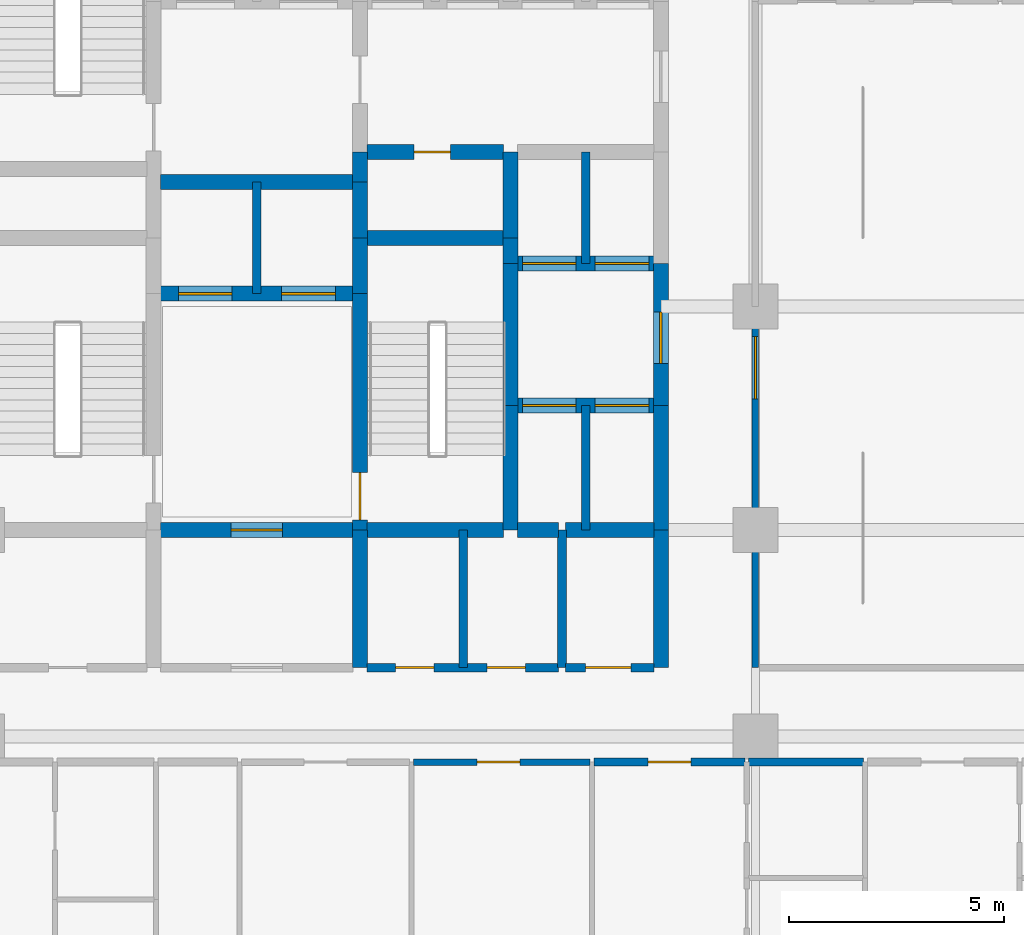
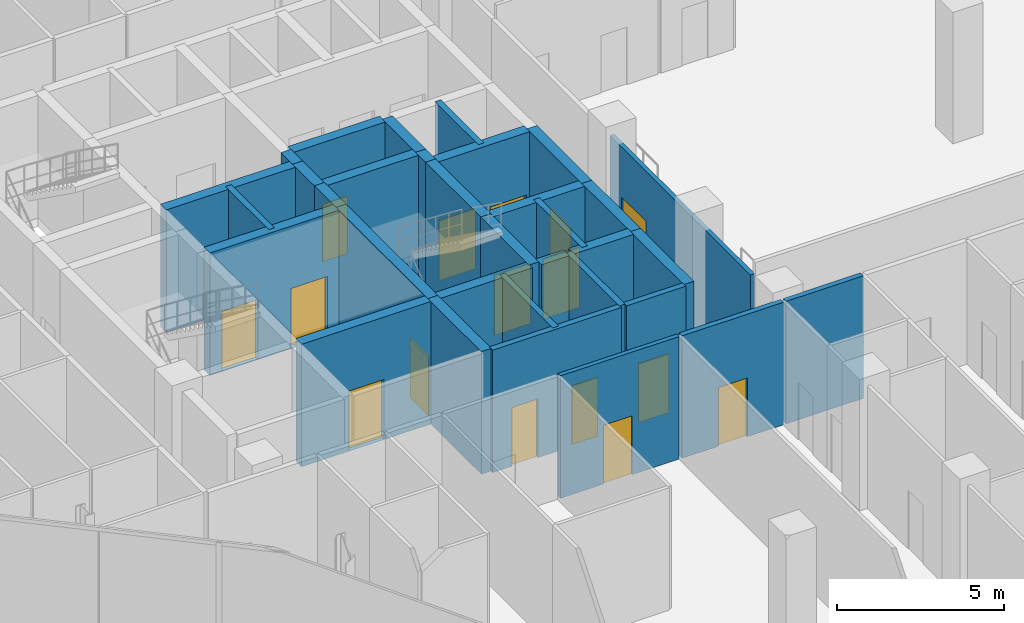
# One storey, part 24 of 29: 33 walls, 16 doors, 16 openings.
"""IFC4 building model written with IfcOpenShell, lengths in metres."""

from ifc_helpers import new_model, si_unit, direction, frame, frame_2d, origin, place, context, subcontext, project, spatial, rectangle, extrude, material, layer, layer_set, type_object, element, fill, save


model = new_model("IFC4")

# Units and contexts
model_context = context("Model", 3, precision=1e-05, world=origin(), true_north=direction((0.0, 1.0)))
body_context = subcontext(model_context, "Body", "Model", "MODEL_VIEW")
ifc_project = project(units=[si_unit("LENGTHUNIT", "METRE"), si_unit("AREAUNIT", "SQUARE_METRE"), si_unit("VOLUMEUNIT", "CUBIC_METRE"), si_unit("PLANEANGLEUNIT", "RADIAN"), si_unit("MASSUNIT", "GRAM", prefix="KILO")], contexts=[model_context])

# Site, building, storey
site_placement = place(None, origin())
site = spatial("IfcSite", under=ifc_project, at=site_placement, CompositionType="ELEMENT")
building_placement = place(site_placement, origin())
building = spatial("IfcBuilding", under=site, at=building_placement, Name="Keshet Zoharim Tower", CompositionType="ELEMENT")
storey_placement = place(building_placement, frame((0.0, 0.0, 120.5)))
storey = spatial("IfcBuildingStorey", under=building, at=storey_placement, Name="L29", CompositionType="ELEMENT", Elevation=120.5)

# Wall, opening, door
ifc_material_1 = material(Name="Gypsum Plasterboard", Category="gypsum")
ifc_layer_1 = layer(ifc_material_1, 0.14990234375)
ifc_layer_set_1 = layer_set([ifc_layer_1], Name="Gypsum Plasterboard")
wall_type_1 = type_object("IfcWallType", Name="WL-CLIN-150", PredefinedType="STANDARD", material=ifc_layer_set_1)
wall_1_placement = place(storey_placement, frame((33.0, 19.5, 0.0), z_axis=(0.0, 0.0, 1.0), x_axis=(0.0, 1.0, 0.0)))
wall_1 = element("IfcWall", 1, at=wall_1_placement, inside=storey, type_object=wall_type_1, Name="L29 Interior Wall 071", PredefinedType="STANDARD", context=body_context, shape_type="SweptSolid", body=[
    extrude(rectangle(XDim=8.39990234375, YDim=0.14990234375, at=frame_2d((4.199951171875, 0.0))), origin(), (0.0, 0.0, 1.0), 4.030029296875),
])
opening_1_placement = place(wall_1_placement, frame((6.2490234375, 0.0, 0.0)))
opening_1 = element("IfcOpeningElement", 2, at=opening_1_placement, cuts=wall_1, Name="Opening D-F314", PredefinedType="OPENING", context=body_context, shape_type="SweptSolid", body=[
    extrude(rectangle(XDim=1.449951171875, YDim=2.199951171875, at=frame_2d((0.72509765625, 1.10009765625))), frame((0.0, 0.0849609375, 0.0), z_axis=(0.0, -1.0, 0.0), x_axis=(1.0, 0.0, 0.0)), (0.0, 0.0, 1.0), 0.169921875),
])
ifc_material_2 = material(Name="Hardwood Timber", Category="wood")
door_type_1 = type_object("IfcDoorType", Name="DR-FD30-145", OperationType="DOUBLE_DOOR_SINGLE_SWING", PredefinedType="DOOR", material=ifc_material_2)
door_1_placement = place(opening_1_placement, origin())
door_1 = element("IfcDoor", 3, at=door_1_placement, inside=storey, type_object=door_type_1, Name="L29 Sky Transfer Lobby Entrance Door", OperationType="DOUBLE_DOOR_SINGLE_SWING", OverallHeight=2.199951171875, OverallWidth=1.449951171875, PredefinedType="DOOR", context=body_context, shape_type="SweptSolid", body=[
    extrude(rectangle(XDim=1.449951171875, YDim=2.199951171875, at=frame_2d((0.72509765625, 1.10009765625))), frame((0.0, 0.02490234375, 0.0), z_axis=(0.0, -1.0, 0.0), x_axis=(1.0, 0.0, 0.0)), (0.0, 0.0, 1.0), 0.050048828125),
])
fill(opening_1, door_1)

wall_2_placement = place(storey_placement, frame((25.044921875, 17.300048828125, 0.0), z_axis=(0.0, 0.0, 1.0), x_axis=(1.0, 0.0, 0.0)))
wall_2 = element("IfcWall", 4, at=wall_2_placement, inside=storey, type_object=wall_type_1, Name="L29 Interior Wall 135", PredefinedType="STANDARD", context=body_context, shape_type="SweptSolid", body=[
    extrude(rectangle(XDim=4.110107421875, YDim=0.14990234375, at=frame_2d((2.05517578125, 0.0))), origin(), (0.0, 0.0, 1.0), 4.47998046875),
])
opening_2_placement = place(wall_2_placement, frame((1.48291015625, 0.0, 0.0)))
opening_2 = element("IfcOpeningElement", 5, at=opening_2_placement, cuts=wall_2, Name="Opening D-F310", PredefinedType="OPENING", context=body_context, shape_type="SweptSolid", body=[
    extrude(rectangle(XDim=1.0, YDim=2.14990234375, at=frame_2d((0.5, 1.074951171875))), frame((0.0, 0.0849609375, 0.0), z_axis=(0.0, -1.0, 0.0), x_axis=(1.0, 0.0, 0.0)), (0.0, 0.0, 1.0), 0.169921875),
])
door_type_2 = type_object("IfcDoorType", Name="DR-FD30-100", OperationType="NOTDEFINED", PredefinedType="DOOR", material=ifc_material_2)
door_2_placement = place(opening_2_placement, origin())
door_2 = element("IfcDoor", 6, at=door_2_placement, inside=storey, type_object=door_type_2, Name="L29 Residents Study Lounge Door", OperationType="SINGLE_SWING_RIGHT", OverallHeight=2.14990234375, OverallWidth=1.0, PredefinedType="DOOR", context=body_context, shape_type="SweptSolid", body=[
    extrude(rectangle(XDim=1.0, YDim=2.14990234375, at=frame_2d((0.5, 1.074951171875))), frame((0.0, 0.02490234375, 0.0), z_axis=(0.0, -1.0, 0.0), x_axis=(1.0, 0.0, 0.0)), (0.0, 0.0, 1.0), 0.050048828125),
])
fill(opening_2, door_2)

# Wall
ifc_material_3 = material(Name="Concrete C60/75", Category="concrete")
ifc_layer_2 = layer(ifc_material_3, 0.35009765625)
ifc_layer_set_2 = layer_set([ifc_layer_2], Name="Concrete C60/75")
wall_type_2 = type_object("IfcWallType", Name="WL-CORE-350", PredefinedType="SHEAR", material=ifc_layer_set_2)
wall_3_placement = place(storey_placement, frame((23.800048828125, 19.5, 0.0), z_axis=(0.0, 0.0, 1.0), x_axis=(0.0, 1.0, 0.0)))
element("IfcWall", 7, at=wall_3_placement, inside=storey, type_object=wall_type_2, Name="L29 Core Shear Wall 036", PredefinedType="SHEAR", context=body_context, shape_type="SweptSolid", body=[
    extrude(rectangle(XDim=3.199951171875, YDim=0.35009765625, at=frame_2d((1.60009765625, 0.0))), origin(), (0.0, 0.0, 1.0), 4.47998046875),
])

# Wall, opening, door
wall_4_placement = place(storey_placement, frame((23.800048828125, 22.699951171875, 0.0), z_axis=(0.0, 0.0, 1.0), x_axis=(0.0, 1.0, 0.0)))
wall_4 = element("IfcWall", 8, at=wall_4_placement, inside=storey, type_object=wall_type_2, Name="L29 Core Shear Wall 037", PredefinedType="SHEAR", context=body_context, shape_type="SweptSolid", body=[
    extrude(rectangle(XDim=5.5, YDim=0.35009765625, at=frame_2d((2.75, 0.0))), origin(), (0.0, 0.0, 1.0), 4.47998046875),
])
opening_3_placement = place(wall_4_placement, frame((0.235107421875, 0.0, 0.0)))
opening_3 = element("IfcOpeningElement", 9, at=opening_3_placement, cuts=wall_4, Name="Opening D-F611", PredefinedType="OPENING", context=body_context, shape_type="SweptSolid", body=[
    extrude(rectangle(XDim=1.10009765625, YDim=2.14990234375, at=frame_2d((0.550048828125, 1.074951171875))), frame((0.0, 0.18505859375, 0.0), z_axis=(0.0, -1.0, 0.0), x_axis=(1.0, 0.0, 0.0)), (0.0, 0.0, 1.0), 0.3701171875),
])
door_type_3 = type_object("IfcDoorType", Name="DR-FD60-110", OperationType="NOTDEFINED", PredefinedType="DOOR", material=ifc_material_2)
door_3_placement = place(opening_3_placement, frame((1.10009765625, 0.0, 0.0), z_axis=(0.0, 0.0, 1.0), x_axis=(-1.0, 0.0, 0.0)))
door_3 = element("IfcDoor", 10, at=door_3_placement, inside=storey, type_object=door_type_3, Name="L29 Exit Stair ST-03 Fire Door", OperationType="SINGLE_SWING_RIGHT", OverallHeight=2.14990234375, OverallWidth=1.10009765625, PredefinedType="DOOR", context=body_context, shape_type="SweptSolid", body=[
    extrude(rectangle(XDim=1.10009765625, YDim=2.14990234375, at=frame_2d((0.550048828125, 1.074951171875))), frame((0.0, 0.02490234375, 0.0), z_axis=(0.0, -1.0, 0.0), x_axis=(1.0, 0.0, 0.0)), (0.0, 0.0, 1.0), 0.050048828125),
])
fill(opening_3, door_3)

# Walls
for number, where, z_axis, x_axis, name in (
    (11, (23.800048828125, 28.199951171875, 0.0), (0.0, 0.0, 1.0), (0.0, 1.0, 0.0), "L29 Core Shear Wall 038"),
    (12, (23.800048828125, 29.5, 0.0), (0.0, 0.0, 1.0), (0.0, 1.0, 0.0), "L29 Core Shear Wall 039"),
):
    element("IfcWall", number, at=place(storey_placement, frame(where, z_axis=z_axis, x_axis=x_axis)), inside=storey, type_object=wall_type_2, Name=name, PredefinedType="SHEAR", context=body_context, shape_type="SweptSolid", body=[
        extrude(rectangle(XDim=1.300048828125, YDim=0.35009765625, at=frame_2d((0.64990234375, 0.0))), origin(), (0.0, 0.0, 1.0), 4.47998046875),
    ])
wall_5_placement = place(storey_placement, frame((23.800048828125, 30.800048828125, 0.0), z_axis=(0.0, 0.0, 1.0), x_axis=(0.0, 1.0, 0.0)))
element("IfcWall", 13, at=wall_5_placement, inside=storey, type_object=wall_type_2, Name="L29 Core Shear Wall 040", PredefinedType="SHEAR", context=body_context, shape_type="SweptSolid", body=[
    extrude(rectangle(XDim=0.699951171875, YDim=0.35009765625, at=frame_2d((0.35009765625, 0.0))), origin(), (0.0, 0.0, 1.0), 4.47998046875),
])
wall_6_placement = place(storey_placement, frame((27.300048828125, 22.699951171875, 0.0), z_axis=(0.0, 0.0, 1.0), x_axis=(0.0, 1.0, 0.0)))
element("IfcWall", 14, at=wall_6_placement, inside=storey, type_object=wall_type_2, Name="L29 Core Shear Wall 047", PredefinedType="SHEAR", context=body_context, shape_type="SweptSolid", body=[
    extrude(rectangle(XDim=2.900146484375, YDim=0.35009765625, at=frame_2d((1.4501953125, 0.0))), origin(), (0.0, 0.0, 1.0), 4.47998046875),
])
wall_7_placement = place(storey_placement, frame((27.300048828125, 25.60009765625, 0.0), z_axis=(0.0, 0.0, 1.0), x_axis=(0.0, 1.0, 0.0)))
element("IfcWall", 15, at=wall_7_placement, inside=storey, type_object=wall_type_2, Name="L29 Core Shear Wall 048", PredefinedType="SHEAR", context=body_context, shape_type="SweptSolid", body=[
    extrude(rectangle(XDim=3.2998046875, YDim=0.35009765625, at=frame_2d((1.64990234375, 0.0))), origin(), (0.0, 0.0, 1.0), 4.47998046875),
])
wall_8_placement = place(storey_placement, frame((27.300048828125, 28.89990234375, 0.0), z_axis=(0.0, 0.0, 1.0), x_axis=(0.0, 1.0, 0.0)))
element("IfcWall", 16, at=wall_8_placement, inside=storey, type_object=wall_type_2, Name="L29 Core Shear Wall 049", PredefinedType="SHEAR", context=body_context, shape_type="SweptSolid", body=[
    extrude(rectangle(XDim=0.60009765625, YDim=0.35009765625, at=frame_2d((0.300048828125, 0.0))), origin(), (0.0, 0.0, 1.0), 4.47998046875),
])
wall_9_placement = place(storey_placement, frame((27.300048828125, 29.5, 0.0), z_axis=(0.0, 0.0, 1.0), x_axis=(0.0, 1.0, 0.0)))
element("IfcWall", 17, at=wall_9_placement, inside=storey, type_object=wall_type_2, Name="L29 Core Shear Wall 050", PredefinedType="SHEAR", context=body_context, shape_type="SweptSolid", body=[
    extrude(rectangle(XDim=2.0, YDim=0.35009765625, at=frame_2d((1.0, 0.0))), origin(), (0.0, 0.0, 1.0), 4.47998046875),
])
wall_10_placement = place(storey_placement, frame((30.800048828125, 19.5, 0.0), z_axis=(0.0, 0.0, 1.0), x_axis=(0.0, 1.0, 0.0)))
element("IfcWall", 18, at=wall_10_placement, inside=storey, type_object=wall_type_2, Name="L29 Core Shear Wall 060", PredefinedType="SHEAR", context=body_context, shape_type="SweptSolid", body=[
    extrude(rectangle(XDim=3.199951171875, YDim=0.35009765625, at=frame_2d((1.60009765625, 0.0))), origin(), (0.0, 0.0, 1.0), 4.47998046875),
])
wall_11_placement = place(storey_placement, frame((30.800048828125, 22.699951171875, 0.0), z_axis=(0.0, 0.0, 1.0), x_axis=(0.0, 1.0, 0.0)))
element("IfcWall", 19, at=wall_11_placement, inside=storey, type_object=wall_type_2, Name="L29 Core Shear Wall 061", PredefinedType="SHEAR", context=body_context, shape_type="SweptSolid", body=[
    extrude(rectangle(XDim=2.900146484375, YDim=0.35009765625, at=frame_2d((1.4501953125, 0.0))), origin(), (0.0, 0.0, 1.0), 4.47998046875),
])

# Wall, opening, door
wall_12_placement = place(storey_placement, frame((30.800048828125, 25.60009765625, 0.0), z_axis=(0.0, 0.0, 1.0), x_axis=(0.0, 1.0, 0.0)))
wall_12 = element("IfcWall", 20, at=wall_12_placement, inside=storey, type_object=wall_type_2, Name="L29 Core Shear Wall 062", PredefinedType="SHEAR", context=body_context, shape_type="SweptSolid", body=[
    extrude(rectangle(XDim=3.2998046875, YDim=0.35009765625, at=frame_2d((1.64990234375, 0.0))), origin(), (0.0, 0.0, 1.0), 4.47998046875),
])
opening_4_placement = place(wall_12_placement, frame((0.97802734375, 0.0, 0.0)))
opening_4 = element("IfcOpeningElement", 21, at=opening_4_placement, cuts=wall_12, Name="Opening D-F612", PredefinedType="OPENING", context=body_context, shape_type="SweptSolid", body=[
    extrude(rectangle(XDim=1.199951171875, YDim=2.199951171875, at=frame_2d((0.60009765625, 1.10009765625))), frame((0.0, 0.18505859375, 0.0), z_axis=(0.0, -1.0, 0.0), x_axis=(1.0, 0.0, 0.0)), (0.0, 0.0, 1.0), 0.3701171875),
])
door_type_4 = type_object("IfcDoorType", Name="DR-FD60-120", OperationType="NOTDEFINED", PredefinedType="DOOR", material=ifc_material_2)
door_4_placement = place(opening_4_placement, origin())
door_4 = element("IfcDoor", 22, at=door_4_placement, inside=storey, type_object=door_type_4, Name="L29 East Lift Lobby Fire Door", OperationType="SINGLE_SWING_RIGHT", OverallHeight=2.199951171875, OverallWidth=1.199951171875, PredefinedType="DOOR", context=body_context, shape_type="SweptSolid", body=[
    extrude(rectangle(XDim=1.199951171875, YDim=2.199951171875, at=frame_2d((0.60009765625, 1.10009765625))), frame((0.0, 0.02490234375, 0.0), z_axis=(0.0, -1.0, 0.0), x_axis=(1.0, 0.0, 0.0)), (0.0, 0.0, 1.0), 0.050048828125),
])
fill(opening_4, door_4)

wall_13_placement = place(storey_placement, frame((19.159912109375, 22.699951171875, 0.0), z_axis=(0.0, 0.0, 1.0), x_axis=(1.0, 0.0, 0.0)))
wall_13 = element("IfcWall", 23, at=wall_13_placement, inside=storey, type_object=wall_type_2, Name="L29 Core Shear Wall 153", PredefinedType="SHEAR", context=body_context, shape_type="SweptSolid", body=[
    extrude(rectangle(XDim=4.47998046875, YDim=0.35009765625, at=frame_2d((2.239990234375, 0.0))), origin(), (0.0, 0.0, 1.0), 4.47998046875),
])
opening_5_placement = place(wall_13_placement, frame((1.639892578125, 0.0, 0.0)))
opening_5 = element("IfcOpeningElement", 24, at=opening_5_placement, cuts=wall_13, Name="Opening D-F612", PredefinedType="OPENING", context=body_context, shape_type="SweptSolid", body=[
    extrude(rectangle(XDim=1.199951171875, YDim=2.199951171875, at=frame_2d((0.60009765625, 1.10009765625))), frame((0.0, 0.18505859375, 0.0), z_axis=(0.0, -1.0, 0.0), x_axis=(1.0, 0.0, 0.0)), (0.0, 0.0, 1.0), 0.3701171875),
])
door_5_placement = place(opening_5_placement, origin())
door_5 = element("IfcDoor", 25, at=door_5_placement, inside=storey, type_object=door_type_4, Name="L29 South Core Lobby Fire Door", OperationType="SINGLE_SWING_LEFT", OverallHeight=2.199951171875, OverallWidth=1.199951171875, PredefinedType="DOOR", context=body_context, shape_type="SweptSolid", body=[
    extrude(rectangle(XDim=1.199951171875, YDim=2.199951171875, at=frame_2d((0.60009765625, 1.10009765625))), frame((0.0, 0.02490234375, 0.0), z_axis=(0.0, -1.0, 0.0), x_axis=(1.0, 0.0, 0.0)), (0.0, 0.0, 1.0), 0.050048828125),
])
fill(opening_5, door_5)

# Walls
wall_14_placement = place(storey_placement, frame((23.9599609375, 22.699951171875, 0.0), z_axis=(0.0, 0.0, 1.0), x_axis=(1.0, 0.0, 0.0)))
element("IfcWall", 26, at=wall_14_placement, inside=storey, type_object=wall_type_2, Name="L29 Core Shear Wall 154", PredefinedType="SHEAR", context=body_context, shape_type="SweptSolid", body=[
    extrude(rectangle(XDim=3.179931640625, YDim=0.35009765625, at=frame_2d((1.58984375, 0.0))), origin(), (0.0, 0.0, 1.0), 4.47998046875),
])
wall_15_placement = place(storey_placement, frame((27.4599609375, 22.699951171875, 0.0), z_axis=(0.0, 0.0, 1.0), x_axis=(1.0, 0.0, 0.0)))
element("IfcWall", 27, at=wall_15_placement, inside=storey, type_object=wall_type_2, Name="L29 Core Shear Wall 155", PredefinedType="SHEAR", context=body_context, shape_type="SweptSolid", body=[
    extrude(rectangle(XDim=0.955078125, YDim=0.35009765625, at=frame_2d((0.4775390625, 0.0))), origin(), (0.0, 0.0, 1.0), 4.47998046875),
])
wall_16_placement = place(storey_placement, frame((28.5849609375, 22.699951171875, 0.0), z_axis=(0.0, 0.0, 1.0), x_axis=(1.0, 0.0, 0.0)))
element("IfcWall", 28, at=wall_16_placement, inside=storey, type_object=wall_type_2, Name="L29 Core Shear Wall 156", PredefinedType="SHEAR", context=body_context, shape_type="SweptSolid", body=[
    extrude(rectangle(XDim=2.054931640625, YDim=0.35009765625, at=frame_2d((1.02734375, 0.0))), origin(), (0.0, 0.0, 1.0), 4.47998046875),
])

# Wall, openings, doors
wall_17_placement = place(storey_placement, frame((27.4599609375, 25.60009765625, 0.0), z_axis=(0.0, 0.0, 1.0), x_axis=(1.0, 0.0, 0.0)))
wall_17 = element("IfcWall", 29, at=wall_17_placement, inside=storey, type_object=wall_type_2, Name="L29 Core Shear Wall 160", PredefinedType="SHEAR", context=body_context, shape_type="SweptSolid", body=[
    extrude(rectangle(XDim=3.179931640625, YDim=0.35009765625, at=frame_2d((1.58984375, 0.0))), origin(), (0.0, 0.0, 1.0), 4.47998046875),
])
opening_6_placement = place(wall_17_placement, frame((0.1201171875, 0.0, 0.0)))
opening_6 = element("IfcOpeningElement", 30, at=opening_6_placement, cuts=wall_17, Name="Opening LD-01", PredefinedType="OPENING", context=body_context, shape_type="SweptSolid", body=[
    extrude(rectangle(XDim=1.25, YDim=2.199951171875, at=frame_2d((0.625, 1.10009765625))), frame((0.0, 0.18505859375, 0.0), z_axis=(0.0, -1.0, 0.0), x_axis=(1.0, 0.0, 0.0)), (0.0, 0.0, 1.0), 0.3701171875),
])
opening_7_placement = place(wall_17_placement, frame((1.81005859375, 0.0, 0.0)))
opening_7 = element("IfcOpeningElement", 31, at=opening_7_placement, cuts=wall_17, Name="Opening LD-01", PredefinedType="OPENING", context=body_context, shape_type="SweptSolid", body=[
    extrude(rectangle(XDim=1.25, YDim=2.199951171875, at=frame_2d((0.625, 1.10009765625))), frame((0.0, 0.18505859375, 0.0), z_axis=(0.0, -1.0, 0.0), x_axis=(1.0, 0.0, 0.0)), (0.0, 0.0, 1.0), 0.3701171875),
])
ifc_material_4 = material(Name="Steel S355", Category="steel")
door_type_5 = type_object("IfcDoorType", Name="DR-LD01-125", OperationType="DOUBLE_DOOR_SLIDING", PredefinedType="DOOR", material=ifc_material_4)
door_6_placement = place(opening_6_placement, origin())
door_6 = element("IfcDoor", 32, at=door_6_placement, inside=storey, type_object=door_type_5, Name="L29 Passenger Lift Landing Door LF-07", OperationType="DOUBLE_DOOR_SLIDING", OverallHeight=2.199951171875, OverallWidth=1.25, PredefinedType="DOOR", context=body_context, shape_type="SweptSolid", body=[
    extrude(rectangle(XDim=1.25, YDim=2.199951171875, at=frame_2d((0.625, 1.10009765625))), frame((0.0, 0.02490234375, 0.0), z_axis=(0.0, -1.0, 0.0), x_axis=(1.0, 0.0, 0.0)), (0.0, 0.0, 1.0), 0.050048828125),
])
fill(opening_6, door_6)
door_7_placement = place(opening_7_placement, origin())
door_7 = element("IfcDoor", 33, at=door_7_placement, inside=storey, type_object=door_type_5, Name="L29 Passenger Lift Landing Door LF-08", OperationType="DOUBLE_DOOR_SLIDING", OverallHeight=2.199951171875, OverallWidth=1.25, PredefinedType="DOOR", context=body_context, shape_type="SweptSolid", body=[
    extrude(rectangle(XDim=1.25, YDim=2.199951171875, at=frame_2d((0.625, 1.10009765625))), frame((0.0, 0.02490234375, 0.0), z_axis=(0.0, -1.0, 0.0), x_axis=(1.0, 0.0, 0.0)), (0.0, 0.0, 1.0), 0.050048828125),
])
fill(opening_7, door_7)

wall_18_placement = place(storey_placement, frame((19.159912109375, 28.199951171875, 0.0), z_axis=(0.0, 0.0, 1.0), x_axis=(1.0, 0.0, 0.0)))
wall_18 = element("IfcWall", 34, at=wall_18_placement, inside=storey, type_object=wall_type_2, Name="L29 Core Shear Wall 161", PredefinedType="SHEAR", context=body_context, shape_type="SweptSolid", body=[
    extrude(rectangle(XDim=4.47998046875, YDim=0.35009765625, at=frame_2d((2.239990234375, 0.0))), origin(), (0.0, 0.0, 1.0), 4.47998046875),
])
opening_8_placement = place(wall_18_placement, frame((0.4150390625, 0.0, 0.0)))
opening_8 = element("IfcOpeningElement", 35, at=opening_8_placement, cuts=wall_18, Name="Opening LD-01", PredefinedType="OPENING", context=body_context, shape_type="SweptSolid", body=[
    extrude(rectangle(XDim=1.25, YDim=2.199951171875, at=frame_2d((0.625, 1.10009765625))), frame((0.0, 0.18505859375, 0.0), z_axis=(0.0, -1.0, 0.0), x_axis=(1.0, 0.0, 0.0)), (0.0, 0.0, 1.0), 0.3701171875),
])
opening_9_placement = place(wall_18_placement, frame((2.81494140625, 0.0, 0.0)))
opening_9 = element("IfcOpeningElement", 36, at=opening_9_placement, cuts=wall_18, Name="Opening LD-01", PredefinedType="OPENING", context=body_context, shape_type="SweptSolid", body=[
    extrude(rectangle(XDim=1.25, YDim=2.199951171875, at=frame_2d((0.625, 1.10009765625))), frame((0.0, 0.18505859375, 0.0), z_axis=(0.0, -1.0, 0.0), x_axis=(1.0, 0.0, 0.0)), (0.0, 0.0, 1.0), 0.3701171875),
])
door_8_placement = place(opening_8_placement, origin())
door_8 = element("IfcDoor", 37, at=door_8_placement, inside=storey, type_object=door_type_5, Name="L29 Passenger Lift Landing Door LF-09", OperationType="DOUBLE_DOOR_SLIDING", OverallHeight=2.199951171875, OverallWidth=1.25, PredefinedType="DOOR", context=body_context, shape_type="SweptSolid", body=[
    extrude(rectangle(XDim=1.25, YDim=2.199951171875, at=frame_2d((0.625, 1.10009765625))), frame((0.0, 0.02490234375, 0.0), z_axis=(0.0, -1.0, 0.0), x_axis=(1.0, 0.0, 0.0)), (0.0, 0.0, 1.0), 0.050048828125),
])
fill(opening_8, door_8)
door_9_placement = place(opening_9_placement, origin())
door_9 = element("IfcDoor", 38, at=door_9_placement, inside=storey, type_object=door_type_5, Name="L29 Passenger Lift Landing Door LF-10", OperationType="DOUBLE_DOOR_SLIDING", OverallHeight=2.199951171875, OverallWidth=1.25, PredefinedType="DOOR", context=body_context, shape_type="SweptSolid", body=[
    extrude(rectangle(XDim=1.25, YDim=2.199951171875, at=frame_2d((0.625, 1.10009765625))), frame((0.0, 0.02490234375, 0.0), z_axis=(0.0, -1.0, 0.0), x_axis=(1.0, 0.0, 0.0)), (0.0, 0.0, 1.0), 0.050048828125),
])
fill(opening_9, door_9)

wall_19_placement = place(storey_placement, frame((27.4599609375, 28.89990234375, 0.0), z_axis=(0.0, 0.0, 1.0), x_axis=(1.0, 0.0, 0.0)))
wall_19 = element("IfcWall", 39, at=wall_19_placement, inside=storey, type_object=wall_type_2, Name="L29 Core Shear Wall 165", PredefinedType="SHEAR", context=body_context, shape_type="SweptSolid", body=[
    extrude(rectangle(XDim=3.179931640625, YDim=0.35009765625, at=frame_2d((1.58984375, 0.0))), origin(), (0.0, 0.0, 1.0), 4.47998046875),
])
opening_10_placement = place(wall_19_placement, frame((0.1201171875, 0.0, 0.0)))
opening_10 = element("IfcOpeningElement", 40, at=opening_10_placement, cuts=wall_19, Name="Opening LD-01", PredefinedType="OPENING", context=body_context, shape_type="SweptSolid", body=[
    extrude(rectangle(XDim=1.25, YDim=2.199951171875, at=frame_2d((0.625, 1.10009765625))), frame((0.0, 0.18505859375, 0.0), z_axis=(0.0, -1.0, 0.0), x_axis=(1.0, 0.0, 0.0)), (0.0, 0.0, 1.0), 0.3701171875),
])
opening_11_placement = place(wall_19_placement, frame((1.81005859375, 0.0, 0.0)))
opening_11 = element("IfcOpeningElement", 41, at=opening_11_placement, cuts=wall_19, Name="Opening LD-01", PredefinedType="OPENING", context=body_context, shape_type="SweptSolid", body=[
    extrude(rectangle(XDim=1.25, YDim=2.199951171875, at=frame_2d((0.625, 1.10009765625))), frame((0.0, 0.18505859375, 0.0), z_axis=(0.0, -1.0, 0.0), x_axis=(1.0, 0.0, 0.0)), (0.0, 0.0, 1.0), 0.3701171875),
])
door_10_placement = place(opening_10_placement, origin())
door_10 = element("IfcDoor", 42, at=door_10_placement, inside=storey, type_object=door_type_5, Name="L29 Passenger Lift Landing Door LF-05", OperationType="DOUBLE_DOOR_SLIDING", OverallHeight=2.199951171875, OverallWidth=1.25, PredefinedType="DOOR", context=body_context, shape_type="SweptSolid", body=[
    extrude(rectangle(XDim=1.25, YDim=2.199951171875, at=frame_2d((0.625, 1.10009765625))), frame((0.0, 0.02490234375, 0.0), z_axis=(0.0, -1.0, 0.0), x_axis=(1.0, 0.0, 0.0)), (0.0, 0.0, 1.0), 0.050048828125),
])
fill(opening_10, door_10)
door_11_placement = place(opening_11_placement, origin())
door_11 = element("IfcDoor", 43, at=door_11_placement, inside=storey, type_object=door_type_5, Name="L29 Passenger Lift Landing Door LF-06", OperationType="DOUBLE_DOOR_SLIDING", OverallHeight=2.199951171875, OverallWidth=1.25, PredefinedType="DOOR", context=body_context, shape_type="SweptSolid", body=[
    extrude(rectangle(XDim=1.25, YDim=2.199951171875, at=frame_2d((0.625, 1.10009765625))), frame((0.0, 0.02490234375, 0.0), z_axis=(0.0, -1.0, 0.0), x_axis=(1.0, 0.0, 0.0)), (0.0, 0.0, 1.0), 0.050048828125),
])
fill(opening_11, door_11)

# Walls
wall_20_placement = place(storey_placement, frame((23.9599609375, 29.5, 0.0), z_axis=(0.0, 0.0, 1.0), x_axis=(1.0, 0.0, 0.0)))
element("IfcWall", 44, at=wall_20_placement, inside=storey, type_object=wall_type_2, Name="L29 Core Shear Wall 167", PredefinedType="SHEAR", context=body_context, shape_type="SweptSolid", body=[
    extrude(rectangle(XDim=3.179931640625, YDim=0.35009765625, at=frame_2d((1.58984375, 0.0))), origin(), (0.0, 0.0, 1.0), 4.47998046875),
])
wall_21_placement = place(storey_placement, frame((19.159912109375, 30.800048828125, 0.0), z_axis=(0.0, 0.0, 1.0), x_axis=(1.0, 0.0, 0.0)))
element("IfcWall", 45, at=wall_21_placement, inside=storey, type_object=wall_type_2, Name="L29 Core Shear Wall 168", PredefinedType="SHEAR", context=body_context, shape_type="SweptSolid", body=[
    extrude(rectangle(XDim=4.47998046875, YDim=0.35009765625, at=frame_2d((2.239990234375, 0.0))), origin(), (0.0, 0.0, 1.0), 4.47998046875),
])

# Wall, opening, door
wall_22_placement = place(storey_placement, frame((23.9599609375, 31.5, 0.0), z_axis=(0.0, 0.0, 1.0), x_axis=(1.0, 0.0, 0.0)))
wall_22 = element("IfcWall", 46, at=wall_22_placement, inside=storey, type_object=wall_type_2, Name="L29 Core Shear Wall 170", PredefinedType="SHEAR", context=body_context, shape_type="SweptSolid", body=[
    extrude(rectangle(XDim=3.179931640625, YDim=0.35009765625, at=frame_2d((1.58984375, 0.0))), origin(), (0.0, 0.0, 1.0), 4.47998046875),
])
opening_12_placement = place(wall_22_placement, frame((1.093994140625, 0.0, 0.0)))
opening_12 = element("IfcOpeningElement", 47, at=opening_12_placement, cuts=wall_22, Name="Opening D-RS85", PredefinedType="OPENING", context=body_context, shape_type="SweptSolid", body=[
    extrude(rectangle(XDim=0.85009765625, YDim=2.10009765625, at=frame_2d((0.425048828125, 1.050048828125))), frame((0.0, 0.18505859375, 0.0), z_axis=(0.0, -1.0, 0.0), x_axis=(1.0, 0.0, 0.0)), (0.0, 0.0, 1.0), 0.3701171875),
])
door_type_6 = type_object("IfcDoorType", Name="DR-RIS-085", OperationType="NOTDEFINED", PredefinedType="DOOR", material=ifc_material_2)
door_12_placement = place(opening_12_placement, origin())
door_12 = element("IfcDoor", 48, at=door_12_placement, inside=storey, type_object=door_type_6, Name="L29 Telecom Riser Access Cupboard Door", OperationType="SINGLE_SWING_LEFT", OverallHeight=2.10009765625, OverallWidth=0.85009765625, PredefinedType="DOOR", context=body_context, shape_type="SweptSolid", body=[
    extrude(rectangle(XDim=0.85009765625, YDim=2.10009765625, at=frame_2d((0.425048828125, 1.050048828125))), frame((0.0, 0.02490234375, 0.0), z_axis=(0.0, -1.0, 0.0), x_axis=(1.0, 0.0, 0.0)), (0.0, 0.0, 1.0), 0.050048828125),
])
fill(opening_12, door_12)

ifc_layer_3 = layer(ifc_material_1, 0.179931640625)
ifc_layer_set_3 = layer_set([ifc_layer_3], Name="Gypsum Plasterboard")
wall_type_3 = type_object("IfcWallType", Name="WL-CORR-180", PredefinedType="STANDARD", material=ifc_layer_set_3)
wall_23_placement = place(storey_placement, frame((29.2451171875, 17.300048828125, 0.0), z_axis=(0.0, 0.0, 1.0), x_axis=(1.0, 0.0, 0.0)))
wall_23 = element("IfcWall", 49, at=wall_23_placement, inside=storey, type_object=wall_type_3, Name="L29 Interior Wall 136", PredefinedType="STANDARD", context=body_context, shape_type="SweptSolid", body=[
    extrude(rectangle(XDim=3.509765625, YDim=0.179931640625, at=frame_2d((1.7548828125, 0.0))), origin(), (0.0, 0.0, 1.0), 4.47998046875),
])
opening_13_placement = place(wall_23_placement, frame((1.2548828125, 0.0, 0.0)))
opening_13 = element("IfcOpeningElement", 50, at=opening_13_placement, cuts=wall_23, Name="Opening D-F310", PredefinedType="OPENING", context=body_context, shape_type="SweptSolid", body=[
    extrude(rectangle(XDim=1.0, YDim=2.14990234375, at=frame_2d((0.5, 1.074951171875))), frame((0.0, 0.10009765625, 0.0), z_axis=(0.0, -1.0, 0.0), x_axis=(1.0, 0.0, 0.0)), (0.0, 0.0, 1.0), 0.199951171875),
])
door_13_placement = place(opening_13_placement, origin())
door_13 = element("IfcDoor", 51, at=door_13_placement, inside=storey, type_object=door_type_2, Name="Apartment 2902 Entrance Door", OperationType="SINGLE_SWING_LEFT", OverallHeight=2.14990234375, OverallWidth=1.0, PredefinedType="DOOR", context=body_context, shape_type="SweptSolid", body=[
    extrude(rectangle(XDim=1.0, YDim=2.14990234375, at=frame_2d((0.5, 1.074951171875))), frame((0.0, 0.02490234375, 0.0), z_axis=(0.0, -1.0, 0.0), x_axis=(1.0, 0.0, 0.0)), (0.0, 0.0, 1.0), 0.050048828125),
])
fill(opening_13, door_13)

# Walls
wall_24_placement = place(storey_placement, frame((32.844970703125, 17.300048828125, 0.0), z_axis=(0.0, 0.0, 1.0), x_axis=(1.0, 0.0, 0.0)))
element("IfcWall", 52, at=wall_24_placement, inside=storey, type_object=wall_type_3, Name="L29 Interior Wall 137", PredefinedType="STANDARD", context=body_context, shape_type="SweptSolid", body=[
    extrude(rectangle(XDim=2.669921875, YDim=0.179931640625, at=frame_2d((1.3349609375, 0.0))), origin(), (0.0, 0.0, 1.0), 4.47998046875),
])
ifc_material_5 = material(Name="Concrete C50/60", Category="concrete")
ifc_layer_4 = layer(ifc_material_5, 0.199951171875)
ifc_layer_set_4 = layer_set([ifc_layer_4], Name="Concrete C50/60")
wall_type_4 = type_object("IfcWallType", Name="WL-FIRE-200", PredefinedType="STANDARD", material=ifc_layer_set_4)
wall_25_placement = place(storey_placement, frame((21.39990234375, 28.199951171875, 0.0), z_axis=(0.0, 0.0, 1.0), x_axis=(0.0, 1.0, 0.0)))
element("IfcWall", 53, at=wall_25_placement, inside=storey, type_object=wall_type_4, Name="L29 Interior Wall 032", PredefinedType="STANDARD", context=body_context, shape_type="SweptSolid", body=[
    extrude(rectangle(XDim=2.60009765625, YDim=0.199951171875, at=frame_2d((1.300048828125, 0.0))), origin(), (0.0, 0.0, 1.0), 4.47998046875),
])
for number, where, z_axis, x_axis, name in (
    (54, (26.199951171875, 19.5, 0.0), (0.0, 0.0, 1.0), (0.0, 1.0, 0.0), "L29 Interior Wall 046"),
    (55, (28.5, 19.5, 0.0), (0.0, 0.0, 1.0), (0.0, 1.0, 0.0), "L29 Interior Wall 055"),
):
    element("IfcWall", number, at=place(storey_placement, frame(where, z_axis=z_axis, x_axis=x_axis)), inside=storey, type_object=wall_type_4, Name=name, PredefinedType="STANDARD", context=body_context, shape_type="SweptSolid", body=[
        extrude(rectangle(XDim=3.199951171875, YDim=0.199951171875, at=frame_2d((1.60009765625, 0.0))), origin(), (0.0, 0.0, 1.0), 4.47998046875),
    ])
wall_26_placement = place(storey_placement, frame((29.050048828125, 22.699951171875, 0.0), z_axis=(0.0, 0.0, 1.0), x_axis=(0.0, 1.0, 0.0)))
element("IfcWall", 56, at=wall_26_placement, inside=storey, type_object=wall_type_4, Name="L29 Interior Wall 056", PredefinedType="STANDARD", context=body_context, shape_type="SweptSolid", body=[
    extrude(rectangle(XDim=2.900146484375, YDim=0.199951171875, at=frame_2d((1.4501953125, 0.0))), origin(), (0.0, 0.0, 1.0), 4.47998046875),
])
wall_27_placement = place(storey_placement, frame((29.050048828125, 28.89990234375, 0.0), z_axis=(0.0, 0.0, 1.0), x_axis=(0.0, 1.0, 0.0)))
element("IfcWall", 57, at=wall_27_placement, inside=storey, type_object=wall_type_4, Name="L29 Interior Wall 057", PredefinedType="STANDARD", context=body_context, shape_type="SweptSolid", body=[
    extrude(rectangle(XDim=2.60009765625, YDim=0.199951171875, at=frame_2d((1.300048828125, 0.0))), origin(), (0.0, 0.0, 1.0), 4.47998046875),
])

# Wall, openings, doors
wall_28_placement = place(storey_placement, frame((23.9599609375, 19.5, 0.0), z_axis=(0.0, 0.0, 1.0), x_axis=(1.0, 0.0, 0.0)))
wall_28 = element("IfcWall", 58, at=wall_28_placement, inside=storey, type_object=wall_type_4, Name="L29 Interior Wall 146", PredefinedType="STANDARD", context=body_context, shape_type="SweptSolid", body=[
    extrude(rectangle(XDim=4.455078125, YDim=0.199951171875, at=frame_2d((2.2275390625, 0.0))), origin(), (0.0, 0.0, 1.0), 4.47998046875),
])
opening_14_placement = place(wall_28_placement, frame((0.6650390625, 0.0, 0.0)))
opening_14 = element("IfcOpeningElement", 59, at=opening_14_placement, cuts=wall_28, Name="Opening D-F690", PredefinedType="OPENING", context=body_context, shape_type="SweptSolid", body=[
    extrude(rectangle(XDim=0.89990234375, YDim=2.14990234375, at=frame_2d((0.449951171875, 1.074951171875))), frame((0.0, 0.10986328125, 0.0), z_axis=(0.0, -1.0, 0.0), x_axis=(1.0, 0.0, 0.0)), (0.0, 0.0, 1.0), 0.219970703125),
])
opening_15_placement = place(wall_28_placement, frame((2.791015625, 0.0, 0.0)))
opening_15 = element("IfcOpeningElement", 60, at=opening_15_placement, cuts=wall_28, Name="Opening D-F690", PredefinedType="OPENING", context=body_context, shape_type="SweptSolid", body=[
    extrude(rectangle(XDim=0.89990234375, YDim=2.14990234375, at=frame_2d((0.449951171875, 1.074951171875))), frame((0.0, 0.10986328125, 0.0), z_axis=(0.0, -1.0, 0.0), x_axis=(1.0, 0.0, 0.0)), (0.0, 0.0, 1.0), 0.219970703125),
])
door_type_7 = type_object("IfcDoorType", Name="DR-FD60-090", OperationType="NOTDEFINED", PredefinedType="DOOR", material=ifc_material_2)
door_14_placement = place(opening_14_placement, origin())
door_14 = element("IfcDoor", 61, at=door_14_placement, inside=storey, type_object=door_type_7, Name="L29 Switchgear Room Door", OperationType="SINGLE_SWING_LEFT", OverallHeight=2.14990234375, OverallWidth=0.89990234375, PredefinedType="DOOR", context=body_context, shape_type="SweptSolid", body=[
    extrude(rectangle(XDim=0.89990234375, YDim=2.14990234375, at=frame_2d((0.449951171875, 1.074951171875))), frame((0.0, 0.02490234375, 0.0), z_axis=(0.0, -1.0, 0.0), x_axis=(1.0, 0.0, 0.0)), (0.0, 0.0, 1.0), 0.050048828125),
])
fill(opening_14, door_14)
door_15_placement = place(opening_15_placement, origin())
door_15 = element("IfcDoor", 62, at=door_15_placement, inside=storey, type_object=door_type_7, Name="L29 Telecom Room Door", OperationType="SINGLE_SWING_RIGHT", OverallHeight=2.14990234375, OverallWidth=0.89990234375, PredefinedType="DOOR", context=body_context, shape_type="SweptSolid", body=[
    extrude(rectangle(XDim=0.89990234375, YDim=2.14990234375, at=frame_2d((0.449951171875, 1.074951171875))), frame((0.0, 0.02490234375, 0.0), z_axis=(0.0, -1.0, 0.0), x_axis=(1.0, 0.0, 0.0)), (0.0, 0.0, 1.0), 0.050048828125),
])
fill(opening_15, door_15)

# Wall, opening, door
wall_29_placement = place(storey_placement, frame((28.5849609375, 19.5, 0.0), z_axis=(0.0, 0.0, 1.0), x_axis=(1.0, 0.0, 0.0)))
wall_29 = element("IfcWall", 63, at=wall_29_placement, inside=storey, type_object=wall_type_4, Name="L29 Interior Wall 147", PredefinedType="STANDARD", context=body_context, shape_type="SweptSolid", body=[
    extrude(rectangle(XDim=2.054931640625, YDim=0.199951171875, at=frame_2d((1.02734375, 0.0))), origin(), (0.0, 0.0, 1.0), 4.47998046875),
])
opening_16_placement = place(wall_29_placement, frame((0.466064453125, 0.0, 0.0)))
opening_16 = element("IfcOpeningElement", 64, at=opening_16_placement, cuts=wall_29, Name="Opening D-AC10", PredefinedType="OPENING", context=body_context, shape_type="SweptSolid", body=[
    extrude(rectangle(XDim=1.050048828125, YDim=2.14990234375, at=frame_2d((0.52490234375, 1.074951171875))), frame((0.0, 0.10986328125, 0.0), z_axis=(0.0, -1.0, 0.0), x_axis=(1.0, 0.0, 0.0)), (0.0, 0.0, 1.0), 0.219970703125),
])
door_type_8 = type_object("IfcDoorType", Name="DR-ACC-105", OperationType="NOTDEFINED", PredefinedType="DOOR", material=ifc_material_2)
door_16_placement = place(opening_16_placement, origin())
door_16 = element("IfcDoor", 65, at=door_16_placement, inside=storey, type_object=door_type_8, Name="L29 Accessible WC Door", OperationType="SINGLE_SWING_LEFT", OverallHeight=2.14990234375, OverallWidth=1.050048828125, PredefinedType="DOOR", context=body_context, shape_type="SweptSolid", body=[
    extrude(rectangle(XDim=1.050048828125, YDim=2.14990234375, at=frame_2d((0.52490234375, 1.074951171875))), frame((0.0, 0.02490234375, 0.0), z_axis=(0.0, -1.0, 0.0), x_axis=(1.0, 0.0, 0.0)), (0.0, 0.0, 1.0), 0.050048828125),
])
fill(opening_16, door_16)

save(model, "model.ifc")
